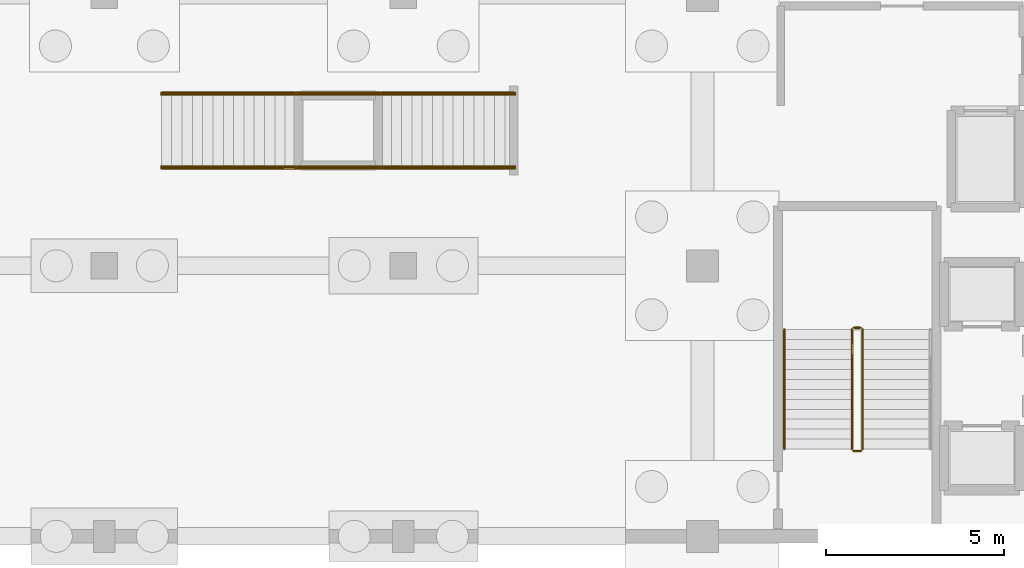
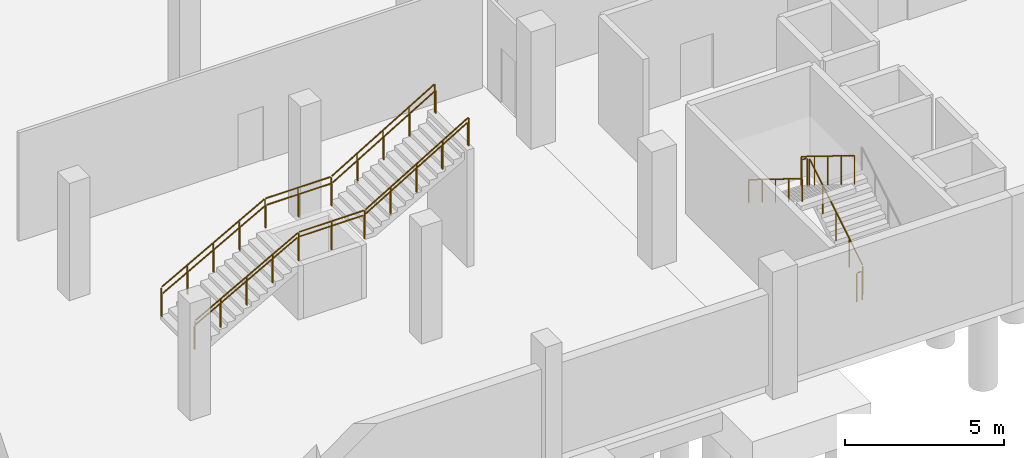
# One storey, part 17 of 22: 9 railings.
"""IFC4 building model written with IfcOpenShell, lengths in metres."""

from ifc_helpers import new_model, si_unit, direction, frame, origin, origin_2d, place, context, subcontext, project, spatial, circle, extrude, material, type_object, element, save


model = new_model("IFC4")

# Units and contexts
model_context = context("Model", 3, precision=1e-05, world=origin(), true_north=direction((0.0, 1.0)))
body_context = subcontext(model_context, "Body", "Model", "MODEL_VIEW")
ifc_project = project(units=[si_unit("LENGTHUNIT", "METRE"), si_unit("AREAUNIT", "SQUARE_METRE"), si_unit("VOLUMEUNIT", "CUBIC_METRE"), si_unit("PLANEANGLEUNIT", "RADIAN"), si_unit("MASSUNIT", "GRAM", prefix="KILO")], contexts=[model_context])

# Site, building, storey
site_placement = place(None, origin())
site = spatial("IfcSite", under=ifc_project, at=site_placement, CompositionType="ELEMENT")
building_placement = place(site_placement, origin())
building = spatial("IfcBuilding", under=site, at=building_placement, Name="Zuvorla Pavilion Media Centre", CompositionType="ELEMENT")
storey_placement = place(building_placement, frame((0.0, 0.0, -4.5)))
storey = spatial("IfcBuildingStorey", under=building, at=storey_placement, Name="B01", CompositionType="ELEMENT", Elevation=-4.5)

# Railings
ifc_material_1 = material(Name="Powder-coated steel balustrade guard", Category="steel")
railing_type_1 = type_object("IfcRailingType", Name="RL-INT-GRD", PredefinedType="BALUSTRADE", material=ifc_material_1)
railing_1_placement = place(storey_placement, frame((71.300048828125, 8.449951171875, 0.173095703125)))
element("IfcRailing", 1, at=railing_1_placement, inside=storey, type_object=railing_type_1, Name="B01 ST-01 stair guard 1", PredefinedType="BALUSTRADE", context=body_context, shape_type="SweptSolid", body=[
    extrude(circle(Radius=0.02392578125, at=origin_2d()), frame((0.0, 0.024658203125, 1.111328125), z_axis=(0.0, 0.850623216509, 0.525775754039), x_axis=(-1.0, 0.0, 0.0)), (0.0, 0.0, 1.0), 3.892578125),
    extrude(circle(Radius=0.02099609375, at=origin_2d()), origin(), (0.0, 0.0, 1.0), 1.070068359375),
    extrude(circle(Radius=0.02099609375, at=origin_2d()), frame((0.0, 0.840087890625, 0.519287109375)), (0.0, 0.0, 1.0), 1.070068359375),
    extrude(circle(Radius=0.02099609375, at=origin_2d()), frame((0.0, 1.68017578125, 1.03857421875)), (0.0, 0.0, 1.0), 1.070068359375),
    extrude(circle(Radius=0.02099609375, at=origin_2d()), frame((0.0, 2.52001953125, 1.5576171875)), (0.0, 0.0, 1.0), 1.070068359375),
    extrude(circle(Radius=0.02099609375, at=origin_2d()), frame((0.0, 3.360107421875, 2.076904296875)), (0.0, 0.0, 1.0), 1.070068359375),
])
railing_2_placement = place(storey_placement, frame((71.25, 11.860107421875, 2.25)))
element("IfcRailing", 2, at=railing_2_placement, inside=storey, type_object=railing_type_1, Name="B01 ST-01 stair guard 2", PredefinedType="BALUSTRADE", context=body_context, shape_type="SweptSolid", body=[
    extrude(circle(Radius=0.02392578125, at=origin_2d()), frame((-0.02880859375, 0.0, 1.09619140625), z_axis=(-1.0, 0.0, 0.0), x_axis=(0.0, -1.0, 0.0)), (0.0, 0.0, 1.0), 0.142333984375),
    extrude(circle(Radius=0.02099609375, at=origin_2d()), origin(), (0.0, 0.0, 1.0), 1.070068359375),
    extrude(circle(Radius=0.02099609375, at=origin_2d()), frame((-0.199951171875, 0.0, 0.0)), (0.0, 0.0, 1.0), 1.070068359375),
])
railing_3_placement = place(storey_placement, frame((71.0, 11.81005859375, 2.423095703125)))
element("IfcRailing", 3, at=railing_3_placement, inside=storey, type_object=railing_type_1, Name="B01 ST-01 stair guard 3", PredefinedType="BALUSTRADE", context=body_context, shape_type="SweptSolid", body=[
    extrude(circle(Radius=0.02392578125, at=origin_2d()), frame((0.0, -0.024658203125, 1.111328125), z_axis=(0.0, -0.850623216509, 0.525775754039), x_axis=(1.0, 0.0, 0.0)), (0.0, 0.0, 1.0), 3.892578125),
    extrude(circle(Radius=0.02099609375, at=origin_2d()), origin(), (0.0, 0.0, 1.0), 1.070068359375),
    extrude(circle(Radius=0.02099609375, at=origin_2d()), frame((0.0, -0.840087890625, 0.519287109375)), (0.0, 0.0, 1.0), 1.070068359375),
    extrude(circle(Radius=0.02099609375, at=origin_2d()), frame((0.0, -1.68017578125, 1.03857421875)), (0.0, 0.0, 1.0), 1.070068359375),
    extrude(circle(Radius=0.02099609375, at=origin_2d()), frame((0.0, -2.52001953125, 1.5576171875)), (0.0, 0.0, 1.0), 1.070068359375),
    extrude(circle(Radius=0.02099609375, at=origin_2d()), frame((0.0, -3.360107421875, 2.076904296875)), (0.0, 0.0, 1.0), 1.070068359375),
])
railing_4_placement = place(storey_placement, frame((71.25, 8.39990234375, 0.0)))
element("IfcRailing", 4, at=railing_4_placement, inside=storey, type_object=railing_type_1, Name="B01 ST-01 stair guard 4", PredefinedType="BALUSTRADE", context=body_context, shape_type="SweptSolid", body=[
    extrude(circle(Radius=0.02392578125, at=origin_2d()), frame((-0.02880859375, 0.0, 1.09619140625), z_axis=(-1.0, 0.0, 0.0), x_axis=(0.0, -1.0, 0.0)), (0.0, 0.0, 1.0), 0.142333984375),
    extrude(circle(Radius=0.02099609375, at=origin_2d()), origin(), (0.0, 0.0, 1.0), 1.070068359375),
    extrude(circle(Radius=0.02099609375, at=origin_2d()), frame((-0.199951171875, 0.0, 0.0)), (0.0, 0.0, 1.0), 1.070068359375),
])
railing_5_placement = place(storey_placement, frame((51.60009765625, 16.340087890625, 0.16064453125)))
element("IfcRailing", 5, at=railing_5_placement, inside=storey, type_object=railing_type_1, Name="ST-06 side guard S", PredefinedType="BALUSTRADE", context=body_context, shape_type="SweptSolid", body=[
    extrude(circle(Radius=0.02392578125, at=origin_2d()), frame((0.025146484375, 0.0, 1.110107421875), z_axis=(0.874659101714, 0.0, 0.484738543742), x_axis=(0.0, 1.0, 0.0)), (0.0, 0.0, 1.0), 4.25244140625),
    extrude(circle(Radius=0.02392578125, at=origin_2d()), frame((3.798828125, 0.0, 3.185546875), z_axis=(1.0, 0.0, 0.0), x_axis=(0.0, 1.0, 0.0)), (0.0, 0.0, 1.0), 2.34228515625),
    extrude(circle(Radius=0.02392578125, at=origin_2d()), frame((6.194580078125, 0.0, 3.2001953125), z_axis=(0.858697585051, 0.0, 0.512482641098), x_axis=(0.0, 1.0, 0.0)), (0.0, 0.0, 1.0), 4.332763671875),
    extrude(circle(Radius=0.02099609375, at=origin_2d()), origin(), (0.0, 0.0, 1.0), 1.070068359375),
    extrude(circle(Radius=0.02099609375, at=origin_2d()), frame((0.9423828125, 0.0, 0.5224609375)), (0.0, 0.0, 1.0), 1.070068359375),
    extrude(circle(Radius=0.02099609375, at=origin_2d()), frame((1.885009765625, 0.0, 1.044677734375)), (0.0, 0.0, 1.0), 1.070068359375),
    extrude(circle(Radius=0.02099609375, at=origin_2d()), frame((2.82763671875, 0.0, 1.56689453125)), (0.0, 0.0, 1.0), 1.070068359375),
    extrude(circle(Radius=0.02099609375, at=origin_2d()), frame((3.77001953125, 0.0, 2.08935546875)), (0.0, 0.0, 1.0), 1.070068359375),
    extrude(circle(Radius=0.02099609375, at=origin_2d()), frame((4.969970703125, 0.0, 2.08935546875)), (0.0, 0.0, 1.0), 1.070068359375),
    extrude(circle(Radius=0.02099609375, at=origin_2d()), frame((6.169921875, 0.0, 2.08935546875)), (0.0, 0.0, 1.0), 1.070068359375),
    extrude(circle(Radius=0.02099609375, at=origin_2d()), frame((7.1123046875, 0.0, 2.65185546875)), (0.0, 0.0, 1.0), 1.070068359375),
    extrude(circle(Radius=0.02099609375, at=origin_2d()), frame((8.054931640625, 0.0, 3.21435546875)), (0.0, 0.0, 1.0), 1.070068359375),
    extrude(circle(Radius=0.02099609375, at=origin_2d()), frame((8.99755859375, 0.0, 3.77685546875)), (0.0, 0.0, 1.0), 1.070068359375),
    extrude(circle(Radius=0.02099609375, at=origin_2d()), frame((9.93994140625, 0.0, 4.33935546875)), (0.0, 0.0, 1.0), 1.070068359375),
])
railing_6_placement = place(storey_placement, frame((51.60009765625, 18.4599609375, 0.16064453125)))
element("IfcRailing", 6, at=railing_6_placement, inside=storey, type_object=railing_type_1, Name="ST-06 side guard N", PredefinedType="BALUSTRADE", context=body_context, shape_type="SweptSolid", body=[
    extrude(circle(Radius=0.02392578125, at=origin_2d()), frame((0.025146484375, 0.0, 1.110107421875), z_axis=(0.874659101714, 0.0, 0.484738543742), x_axis=(0.0, 1.0, 0.0)), (0.0, 0.0, 1.0), 4.25244140625),
    extrude(circle(Radius=0.02392578125, at=origin_2d()), frame((3.798828125, 0.0, 3.185546875), z_axis=(1.0, 0.0, 0.0), x_axis=(0.0, 1.0, 0.0)), (0.0, 0.0, 1.0), 2.34228515625),
    extrude(circle(Radius=0.02392578125, at=origin_2d()), frame((6.194580078125, 0.0, 3.2001953125), z_axis=(0.858697585051, 0.0, 0.512482641098), x_axis=(0.0, 1.0, 0.0)), (0.0, 0.0, 1.0), 4.332763671875),
    extrude(circle(Radius=0.02099609375, at=origin_2d()), origin(), (0.0, 0.0, 1.0), 1.070068359375),
    extrude(circle(Radius=0.02099609375, at=origin_2d()), frame((0.9423828125, 0.0, 0.5224609375)), (0.0, 0.0, 1.0), 1.070068359375),
    extrude(circle(Radius=0.02099609375, at=origin_2d()), frame((1.885009765625, 0.0, 1.044677734375)), (0.0, 0.0, 1.0), 1.070068359375),
    extrude(circle(Radius=0.02099609375, at=origin_2d()), frame((2.82763671875, 0.0, 1.56689453125)), (0.0, 0.0, 1.0), 1.070068359375),
    extrude(circle(Radius=0.02099609375, at=origin_2d()), frame((3.77001953125, 0.0, 2.08935546875)), (0.0, 0.0, 1.0), 1.070068359375),
    extrude(circle(Radius=0.02099609375, at=origin_2d()), frame((4.969970703125, 0.0, 2.08935546875)), (0.0, 0.0, 1.0), 1.070068359375),
    extrude(circle(Radius=0.02099609375, at=origin_2d()), frame((6.169921875, 0.0, 2.08935546875)), (0.0, 0.0, 1.0), 1.070068359375),
    extrude(circle(Radius=0.02099609375, at=origin_2d()), frame((7.1123046875, 0.0, 2.65185546875)), (0.0, 0.0, 1.0), 1.070068359375),
    extrude(circle(Radius=0.02099609375, at=origin_2d()), frame((8.054931640625, 0.0, 3.21435546875)), (0.0, 0.0, 1.0), 1.070068359375),
    extrude(circle(Radius=0.02099609375, at=origin_2d()), frame((8.99755859375, 0.0, 3.77685546875)), (0.0, 0.0, 1.0), 1.070068359375),
    extrude(circle(Radius=0.02099609375, at=origin_2d()), frame((9.93994140625, 0.0, 4.33935546875)), (0.0, 0.0, 1.0), 1.070068359375),
])
ifc_material_2 = material(Name="Brushed stainless steel tubular handrail", Category="steel")
railing_type_2 = type_object("IfcRailingType", Name="RL-INT-HND", PredefinedType="HANDRAIL", material=ifc_material_2)
railing_7_placement = place(storey_placement, frame((69.10009765625, 11.81005859375, 2.423095703125)))
element("IfcRailing", 7, at=railing_7_placement, inside=storey, type_object=railing_type_2, Name="B01 ST-01 handrail 2", PredefinedType="HANDRAIL", context=body_context, shape_type="SweptSolid", body=[
    extrude(circle(Radius=0.02392578125, at=origin_2d()), frame((0.0, -0.024658203125, 0.89111328125), z_axis=(0.0, -0.850623216509, 0.525775754039), x_axis=(1.0, 0.0, 0.0)), (0.0, 0.0, 1.0), 3.892578125),
    extrude(circle(Radius=0.02099609375, at=origin_2d()), origin(), (0.0, 0.0, 1.0), 0.849853515625),
    extrude(circle(Radius=0.02099609375, at=origin_2d()), frame((0.0, -0.840087890625, 0.519287109375)), (0.0, 0.0, 1.0), 0.849853515625),
    extrude(circle(Radius=0.02099609375, at=origin_2d()), frame((0.0, -1.68017578125, 1.03857421875)), (0.0, 0.0, 1.0), 0.849853515625),
    extrude(circle(Radius=0.02099609375, at=origin_2d()), frame((0.0, -2.52001953125, 1.5576171875)), (0.0, 0.0, 1.0), 0.849853515625),
    extrude(circle(Radius=0.02099609375, at=origin_2d()), frame((0.0, -3.360107421875, 2.076904296875)), (0.0, 0.0, 1.0), 0.849853515625),
])
railing_8_placement = place(storey_placement, frame((51.60009765625, 16.389892578125, 0.16064453125)))
element("IfcRailing", 8, at=railing_8_placement, inside=storey, type_object=railing_type_2, Name="ST-06 handrail S", PredefinedType="HANDRAIL", context=body_context, shape_type="SweptSolid", body=[
    extrude(circle(Radius=0.02392578125, at=origin_2d()), frame((0.025146484375, 0.0, 0.889892578125), z_axis=(0.874659101714, 0.0, 0.484738543742), x_axis=(0.0, 1.0, 0.0)), (0.0, 0.0, 1.0), 4.25244140625),
    extrude(circle(Radius=0.02392578125, at=origin_2d()), frame((3.798828125, 0.0, 2.96533203125), z_axis=(1.0, 0.0, 0.0), x_axis=(0.0, 1.0, 0.0)), (0.0, 0.0, 1.0), 2.34228515625),
    extrude(circle(Radius=0.02392578125, at=origin_2d()), frame((6.194580078125, 0.0, 2.97998046875), z_axis=(0.858697585051, 0.0, 0.512482641098), x_axis=(0.0, 1.0, 0.0)), (0.0, 0.0, 1.0), 4.332763671875),
    extrude(circle(Radius=0.02099609375, at=origin_2d()), origin(), (0.0, 0.0, 1.0), 0.849853515625),
    extrude(circle(Radius=0.02099609375, at=origin_2d()), frame((0.9423828125, 0.0, 0.5224609375)), (0.0, 0.0, 1.0), 0.849853515625),
    extrude(circle(Radius=0.02099609375, at=origin_2d()), frame((1.885009765625, 0.0, 1.044677734375)), (0.0, 0.0, 1.0), 0.849853515625),
    extrude(circle(Radius=0.02099609375, at=origin_2d()), frame((2.82763671875, 0.0, 1.56689453125)), (0.0, 0.0, 1.0), 0.849853515625),
    extrude(circle(Radius=0.02099609375, at=origin_2d()), frame((3.77001953125, 0.0, 2.08935546875)), (0.0, 0.0, 1.0), 0.849853515625),
    extrude(circle(Radius=0.02099609375, at=origin_2d()), frame((4.969970703125, 0.0, 2.08935546875)), (0.0, 0.0, 1.0), 0.849853515625),
    extrude(circle(Radius=0.02099609375, at=origin_2d()), frame((6.169921875, 0.0, 2.08935546875)), (0.0, 0.0, 1.0), 0.849853515625),
    extrude(circle(Radius=0.02099609375, at=origin_2d()), frame((7.1123046875, 0.0, 2.65185546875)), (0.0, 0.0, 1.0), 0.849853515625),
    extrude(circle(Radius=0.02099609375, at=origin_2d()), frame((8.054931640625, 0.0, 3.21435546875)), (0.0, 0.0, 1.0), 0.849853515625),
    extrude(circle(Radius=0.02099609375, at=origin_2d()), frame((8.99755859375, 0.0, 3.77685546875)), (0.0, 0.0, 1.0), 0.849853515625),
    extrude(circle(Radius=0.02099609375, at=origin_2d()), frame((9.93994140625, 0.0, 4.33935546875)), (0.0, 0.0, 1.0), 0.849853515625),
])
railing_9_placement = place(storey_placement, frame((51.60009765625, 18.409912109375, 0.16064453125)))
element("IfcRailing", 9, at=railing_9_placement, inside=storey, type_object=railing_type_2, Name="ST-06 handrail N", PredefinedType="HANDRAIL", context=body_context, shape_type="SweptSolid", body=[
    extrude(circle(Radius=0.02392578125, at=origin_2d()), frame((0.025146484375, 0.0, 0.889892578125), z_axis=(0.874659101714, 0.0, 0.484738543742), x_axis=(0.0, 1.0, 0.0)), (0.0, 0.0, 1.0), 4.25244140625),
    extrude(circle(Radius=0.02392578125, at=origin_2d()), frame((3.798828125, 0.0, 2.96533203125), z_axis=(1.0, 0.0, 0.0), x_axis=(0.0, 1.0, 0.0)), (0.0, 0.0, 1.0), 2.34228515625),
    extrude(circle(Radius=0.02392578125, at=origin_2d()), frame((6.194580078125, 0.0, 2.97998046875), z_axis=(0.858697585051, 0.0, 0.512482641098), x_axis=(0.0, 1.0, 0.0)), (0.0, 0.0, 1.0), 4.332763671875),
    extrude(circle(Radius=0.02099609375, at=origin_2d()), origin(), (0.0, 0.0, 1.0), 0.849853515625),
    extrude(circle(Radius=0.02099609375, at=origin_2d()), frame((0.9423828125, 0.0, 0.5224609375)), (0.0, 0.0, 1.0), 0.849853515625),
    extrude(circle(Radius=0.02099609375, at=origin_2d()), frame((1.885009765625, 0.0, 1.044677734375)), (0.0, 0.0, 1.0), 0.849853515625),
    extrude(circle(Radius=0.02099609375, at=origin_2d()), frame((2.82763671875, 0.0, 1.56689453125)), (0.0, 0.0, 1.0), 0.849853515625),
    extrude(circle(Radius=0.02099609375, at=origin_2d()), frame((3.77001953125, 0.0, 2.08935546875)), (0.0, 0.0, 1.0), 0.849853515625),
    extrude(circle(Radius=0.02099609375, at=origin_2d()), frame((4.969970703125, 0.0, 2.08935546875)), (0.0, 0.0, 1.0), 0.849853515625),
    extrude(circle(Radius=0.02099609375, at=origin_2d()), frame((6.169921875, 0.0, 2.08935546875)), (0.0, 0.0, 1.0), 0.849853515625),
    extrude(circle(Radius=0.02099609375, at=origin_2d()), frame((7.1123046875, 0.0, 2.65185546875)), (0.0, 0.0, 1.0), 0.849853515625),
    extrude(circle(Radius=0.02099609375, at=origin_2d()), frame((8.054931640625, 0.0, 3.21435546875)), (0.0, 0.0, 1.0), 0.849853515625),
    extrude(circle(Radius=0.02099609375, at=origin_2d()), frame((8.99755859375, 0.0, 3.77685546875)), (0.0, 0.0, 1.0), 0.849853515625),
    extrude(circle(Radius=0.02099609375, at=origin_2d()), frame((9.93994140625, 0.0, 4.33935546875)), (0.0, 0.0, 1.0), 0.849853515625),
])

save(model, "model.ifc")
